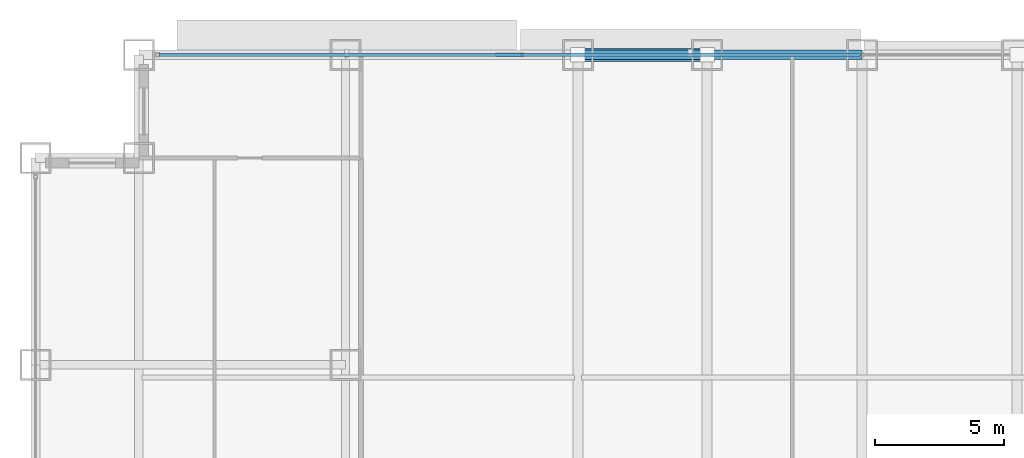
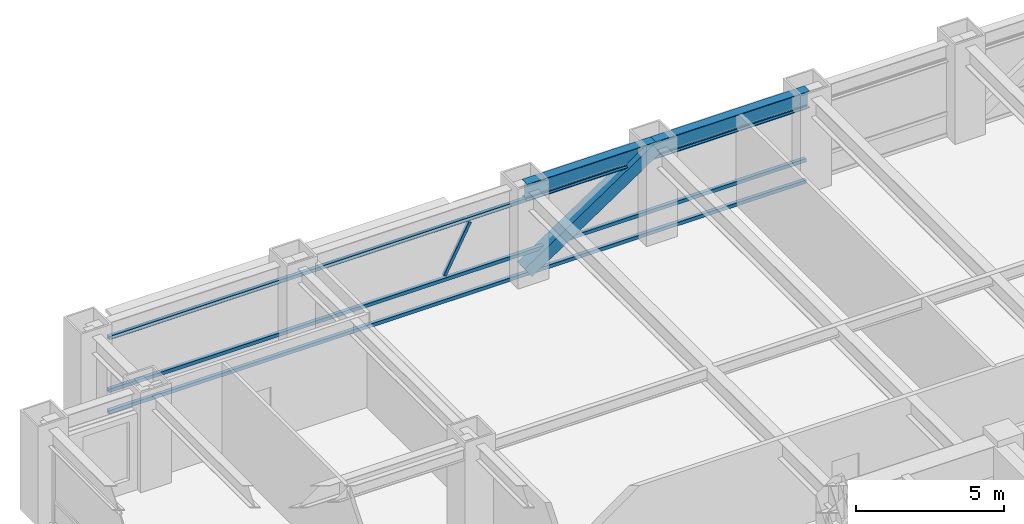
# One storey, part 18 of 32: 5 members, 2 beams, 1 element without a shape of its own.
"""IFC4 building model written with IfcOpenShell, lengths in metres."""

from ifc_helpers import new_model, si_unit, direction, frame, origin, origin_2d, place, context, subcontext, project, spatial, hollow_rectangle, i_section, extrude, source, transform, mapped, material, material_profile, profile_set, type_object, element, aggregate, save


model = new_model("IFC4")

# Units and contexts
model_context = context("Model", 3, precision=1e-05, world=origin(), true_north=direction((0.0, 1.0)))
body_context = subcontext(model_context, "Body", "Model", "MODEL_VIEW")
ifc_project = project(units=[si_unit("LENGTHUNIT", "METRE"), si_unit("AREAUNIT", "SQUARE_METRE"), si_unit("VOLUMEUNIT", "CUBIC_METRE"), si_unit("PLANEANGLEUNIT", "RADIAN"), si_unit("MASSUNIT", "GRAM", prefix="KILO")], contexts=[model_context])

# Site, building, storey
site_placement = place(None, origin())
site = spatial("IfcSite", under=ifc_project, at=site_placement, CompositionType="ELEMENT")
building_placement = place(site_placement, origin())
building = spatial("IfcBuilding", under=site, at=building_placement, Name="Khorayat Bourse Tower", CompositionType="ELEMENT")
storey_placement = place(building_placement, frame((0.0, 0.0, 132.39990234375)))
storey = spatial("IfcBuildingStorey", under=building, at=storey_placement, Name="L30", CompositionType="ELEMENT", Elevation=132.39990234375)

# Beams
ifc_material_1 = material(Name="Steel ASTM A992 Grade 50", Category="steel")
ifc_material_profile_1 = material_profile(ifc_material_1, i_section(OverallWidth=0.35498046875, OverallDepth=0.695068359375, WebThickness=0.015380859375, FlangeThickness=0.02490234375, FilletRadius=0.01806640625, at=origin_2d()), Name="W690X217")
ifc_profile_set_1 = profile_set([ifc_material_profile_1], Name="Steel ASTM A992 Grade 50")
beam_type = type_object("IfcBeamType", Name="BM-SPAN-690", PredefinedType="SPANDREL", material=ifc_profile_set_1)
shared_shape_1 = source(origin(), body_context, "Body", "SweptSolid", [
    extrude(i_section(OverallWidth=0.35498046875, OverallDepth=0.695068359375, WebThickness=0.015380859375, FlangeThickness=0.02490234375, FilletRadius=0.01806640625, at=origin_2d()), origin(), (0.0, 0.0, 1.0), 5.0),
])
beam_1_placement = place(storey_placement, frame((-11.0, 32.0, 3.49267578125), z_axis=(1.0, 0.0, 0.0), x_axis=(0.0, 1.0, 0.0)))
element("IfcBeam", 1, at=beam_1_placement, inside=storey, type_object=beam_type, Name="L30 BM-SPAN-690 BM-L30-SPN-049", PredefinedType="SPANDREL", context=body_context, shape_type="MappedRepresentation", body=[
    mapped(shared_shape_1, transform((0.0, 0.0, 0.0), scale=1.0)),
])
shared_shape_2 = source(origin(), body_context, "Body", "SweptSolid", [
    extrude(i_section(OverallWidth=0.35498046875, OverallDepth=0.695068359375, WebThickness=0.015380859375, FlangeThickness=0.02490234375, FilletRadius=0.01806640625, at=origin_2d()), origin(), (0.0, 0.0, 1.0), 6.0),
])
beam_2_placement = place(storey_placement, frame((-6.0, 32.0, 3.49267578125), z_axis=(1.0, 0.0, 0.0), x_axis=(0.0, 1.0, 0.0)))
element("IfcBeam", 2, at=beam_2_placement, inside=storey, type_object=beam_type, Name="L30 BM-SPAN-690 BM-L30-SPN-048", PredefinedType="SPANDREL", context=body_context, shape_type="MappedRepresentation", body=[
    mapped(shared_shape_2, transform((0.0, 0.0, 0.0), scale=1.0)),
])

# Member
ifc_material_2 = material(Name="Steel EN 10025-4 S460M", Category="steel")
ifc_material_profile_2 = material_profile(ifc_material_2, hollow_rectangle(XDim=0.5, YDim=0.5, WallThickness=0.028076171875, at=origin_2d()), Name="HSS 500x500x28")
ifc_profile_set_2 = profile_set([ifc_material_profile_2], Name="Steel EN 10025-4 S460M")
member_type_1 = type_object("IfcMemberType", Name="MBR-TUBE-500", PredefinedType="BRACE", material=ifc_profile_set_2)
shared_shape_3 = source(origin(), body_context, "Body", "SweptSolid", [
    extrude(hollow_rectangle(XDim=0.5, YDim=0.5, WallThickness=0.028076171875, at=origin_2d()), origin(), (0.0, 0.0, 1.0), 6.012939453125),
])
member_1_placement = place(storey_placement, frame((-11.0, 32.0, 0.25), z_axis=(0.831531473026, 0.0, 0.555477640745), x_axis=(0.0, 1.0, 0.0)))
element("IfcMember", 3, at=member_1_placement, inside=storey, type_object=member_type_1, Name="L30 Perimeter Tube Brace 03", PredefinedType="BRACE", context=body_context, shape_type="MappedRepresentation", body=[
    mapped(shared_shape_3, transform((0.0, 0.0, 0.0), scale=1.0)),
])

# Curtain wall, members
ifc_material_3 = material(Name="Aluminium EN AW-6063 T6", Category="aluminium")
curtain_wall_type = type_object("IfcCurtainWallType", Name="CW-SYS-02", PredefinedType="NOTDEFINED", material=ifc_material_3)
curtain_wall_placement = place(storey_placement, origin())
curtain_wall = element("IfcCurtainWall", 4, at=curtain_wall_placement, inside=storey, type_object=curtain_wall_type, Name="L30 Curtain Wall CW-L30-N1", PredefinedType="NOTDEFINED")
ifc_material_profile_3 = material_profile(ifc_material_3, hollow_rectangle(XDim=0.139892578125, YDim=0.139892578125, WallThickness=0.006103515625, at=origin_2d()), Name="ALU 140x140x6")
ifc_profile_set_3 = profile_set([ifc_material_profile_3], Name="Aluminium EN AW-6063 T6")
member_type_2 = type_object("IfcMemberType", Name="CWT-HORZ-140", PredefinedType="USERDEFINED", material=ifc_profile_set_3)
shared_shape_4 = source(origin(), body_context, "Body", "SweptSolid", [
    extrude(hollow_rectangle(XDim=0.139892578125, YDim=0.139892578125, WallThickness=0.006103515625, at=origin_2d()), origin(), (0.0, 0.0, 1.0), 27.139892578125),
])
member_2_placement = place(storey_placement, frame((-27.2099609375, 32.0, 0.070068359375), z_axis=(1.0, 0.0, 0.0), x_axis=(0.0, 1.0, 0.0)))
member_2 = element("IfcMember", 5, at=member_2_placement, type_object=member_type_2, Name="CW-L30-N1 Horizontal Transom 1-1", ObjectType="TRANSOM", PredefinedType="USERDEFINED", context=body_context, shape_type="MappedRepresentation", body=[
    mapped(shared_shape_4, transform((0.0, 0.0, 0.0), scale=1.0)),
])
member_3_placement = place(storey_placement, frame((-27.2099609375, 32.0, 0.9501953125), z_axis=(1.0, 0.0, 0.0), x_axis=(0.0, 1.0, 0.0)))
member_3 = element("IfcMember", 6, at=member_3_placement, type_object=member_type_2, Name="CW-L30-N1 Horizontal Transom 1-2", ObjectType="TRANSOM", PredefinedType="USERDEFINED", context=body_context, shape_type="MappedRepresentation", body=[
    mapped(shared_shape_4, transform((0.0, 0.0, 0.0), scale=1.0)),
])
member_4_placement = place(storey_placement, frame((-27.2099609375, 32.0, 3.1201171875), z_axis=(1.0, 0.0, 0.0), x_axis=(0.0, 1.0, 0.0)))
member_4 = element("IfcMember", 7, at=member_4_placement, type_object=member_type_2, Name="CW-L30-N1 Horizontal Transom 1-3", ObjectType="TRANSOM", PredefinedType="USERDEFINED", context=body_context, shape_type="MappedRepresentation", body=[
    mapped(shared_shape_4, transform((0.0, 0.0, 0.0), scale=1.0)),
])
ifc_material_profile_4 = material_profile(ifc_material_3, hollow_rectangle(XDim=0.1201171875, YDim=0.1201171875, WallThickness=0.0048828125, at=origin_2d()), Name="ALU 120x120x5")
ifc_profile_set_4 = profile_set([ifc_material_profile_4], Name="Aluminium EN AW-6063 T6")
member_type_3 = type_object("IfcMemberType", Name="CWM-DIAG-120", PredefinedType="MULLION", material=ifc_profile_set_4)
shared_shape_5 = source(origin(), body_context, "Body", "SweptSolid", [
    extrude(hollow_rectangle(XDim=0.1201171875, YDim=0.1201171875, WallThickness=0.0048828125, at=origin_2d()), origin(), (0.0, 0.0, 1.0), 2.11328125),
])
member_5_placement = place(storey_placement, frame((-14.132080078125, 32.0, 1.10009765625), z_axis=(0.465694055905, 0.0, 0.884945787207), x_axis=(0.0, 1.0, 0.0)))
member_5 = element("IfcMember", 8, at=member_5_placement, type_object=member_type_3, Name="CW-L30-N1 Faceted Diagonal Mullion 1", PredefinedType="MULLION", context=body_context, shape_type="MappedRepresentation", body=[
    mapped(shared_shape_5, transform((0.0, 0.0, 0.0), scale=1.0)),
])
aggregate(curtain_wall, [member_2, member_3, member_4, member_5])

save(model, "model.ifc")
